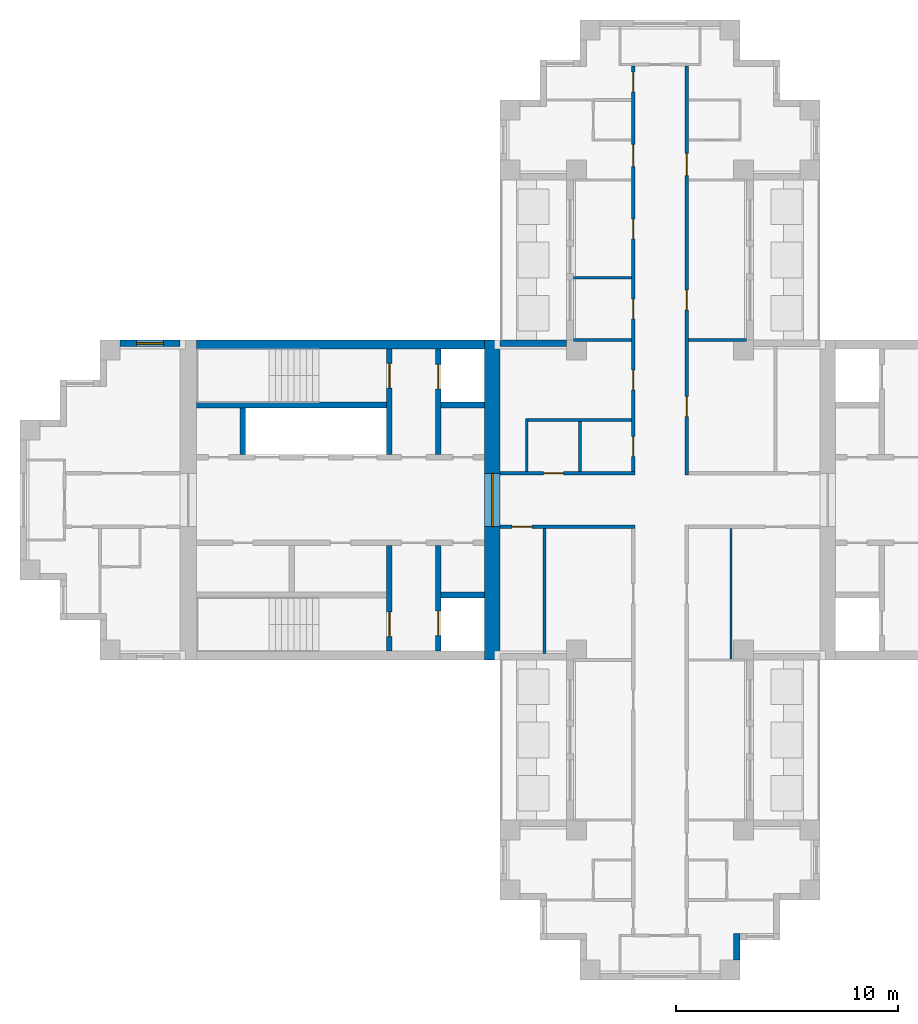
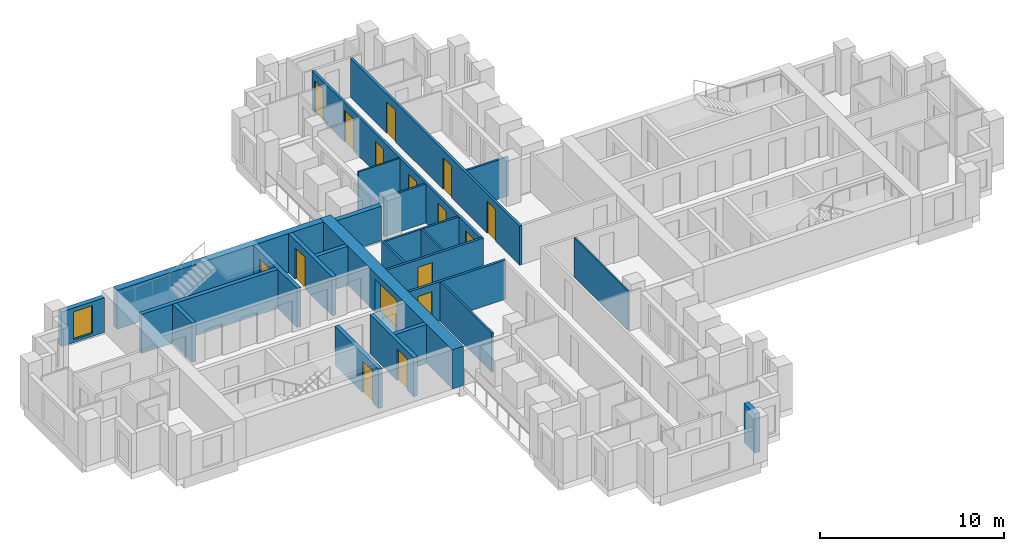
# One storey, part 4 of 10: 25 walls, 16 doors, 1 window, 17 openings.
"""IFC4 building model written with IfcOpenShell, lengths in metres."""

from ifc_helpers import new_model, si_unit, direction, frame, frame_2d, origin, place, context, subcontext, project, spatial, rectangle, extrude, material, layer, layer_set, type_object, element, fill, save


model = new_model("IFC4")

# Units and contexts
model_context = context("Model", 3, precision=1e-05, world=origin(), true_north=direction((0.0, 1.0)))
body_context = subcontext(model_context, "Body", "Model", "MODEL_VIEW")
ifc_project = project(units=[si_unit("LENGTHUNIT", "METRE"), si_unit("AREAUNIT", "SQUARE_METRE"), si_unit("VOLUMEUNIT", "CUBIC_METRE"), si_unit("PLANEANGLEUNIT", "RADIAN"), si_unit("MASSUNIT", "GRAM", prefix="KILO")], contexts=[model_context])

# Site, building, storey
site_placement = place(None, origin())
site = spatial("IfcSite", under=ifc_project, at=site_placement, CompositionType="ELEMENT")
building_placement = place(site_placement, origin())
building = spatial("IfcBuilding", under=site, at=building_placement, Name="Fustian Cross Tower", CompositionType="ELEMENT")
storey_placement = place(building_placement, frame((0.0, 0.0, 228.89990234375)))
storey = spatial("IfcBuildingStorey", under=building, at=storey_placement, Name="L72", CompositionType="ELEMENT", Elevation=228.89990234375)

# Wall, opening, door
ifc_material_1 = material(Name="Plasterboard on steel stud", Category="steel")
ifc_layer_1 = layer(ifc_material_1, 0.14990234375)
ifc_layer_set_1 = layer_set([ifc_layer_1], Name="Plasterboard on steel stud")
wall_type_1 = type_object("IfcWallType", Name="COMPARTMENT WALL 150 EI 60", PredefinedType="PARTITIONING", material=ifc_layer_set_1)
wall_1_placement = place(storey_placement, frame((-7.199951171875, -1.199951171875, 0.0), z_axis=(0.0, 0.0, 1.0), x_axis=(1.0, 0.0, 0.0)))
wall_1 = element("IfcWall", 1, at=wall_1_placement, inside=storey, type_object=wall_type_1, Name="Partition 12", PredefinedType="PARTITIONING", context=body_context, shape_type="SweptSolid", body=[
    extrude(rectangle(XDim=6.074951171875, YDim=0.14990234375, at=frame_2d((3.03759765625, 0.0))), origin(), (0.0, 0.0, 1.0), 2.60009765625),
])
opening_1_placement = place(wall_1_placement, frame((0.550048828125, 0.0, 0.0)))
opening_1 = element("IfcOpeningElement", 2, at=opening_1_placement, cuts=wall_1, Name="Opening D32009", PredefinedType="OPENING", context=body_context, shape_type="SweptSolid", body=[
    extrude(rectangle(XDim=0.89990234375, YDim=2.10009765625, at=frame_2d((0.449951171875, 1.050048828125))), frame((0.0, 0.0849609375, 0.0), z_axis=(0.0, -1.0, 0.0), x_axis=(1.0, 0.0, 0.0)), (0.0, 0.0, 1.0), 0.169921875),
])
ifc_material_2 = material(Name="Timber fire door set", Category="wood")
door_type_1 = type_object("IfcDoorType", Name="FIRE SWING DOOR 900 FD30S", OperationType="SINGLE_SWING_LEFT", PredefinedType="DOOR", material=ifc_material_2)
door_1_placement = place(opening_1_placement, frame((0.89990234375, 0.0, 0.0), z_axis=(0.0, 0.0, 1.0), x_axis=(-1.0, 0.0, 0.0)))
door_1 = element("IfcDoor", 3, at=door_1_placement, inside=storey, type_object=door_type_1, Name="Door D32009", OperationType="SINGLE_SWING_RIGHT", OverallHeight=2.10009765625, OverallWidth=0.89990234375, PredefinedType="DOOR", context=body_context, shape_type="SweptSolid", body=[
    extrude(rectangle(XDim=0.89990234375, YDim=2.10009765625, at=frame_2d((0.449951171875, 1.050048828125))), frame((0.0, 0.02490234375, 0.0), z_axis=(0.0, -1.0, 0.0), x_axis=(1.0, 0.0, 0.0)), (0.0, 0.0, 1.0), 0.050048828125),
])
fill(opening_1, door_1)

wall_2_placement = place(storey_placement, frame((-7.199951171875, 1.199951171875, 0.0), z_axis=(0.0, 0.0, 1.0), x_axis=(1.0, 0.0, 0.0)))
wall_2 = element("IfcWall", 4, at=wall_2_placement, inside=storey, type_object=wall_type_1, Name="Partition 13", PredefinedType="PARTITIONING", context=body_context, shape_type="SweptSolid", body=[
    extrude(rectangle(XDim=6.074951171875, YDim=0.14990234375, at=frame_2d((3.03759765625, 0.0))), origin(), (0.0, 0.0, 1.0), 2.60009765625),
])
opening_2_placement = place(wall_2_placement, frame((1.949951171875, 0.0, 0.0)))
opening_2 = element("IfcOpeningElement", 5, at=opening_2_placement, cuts=wall_2, Name="Opening D32004", PredefinedType="OPENING", context=body_context, shape_type="SweptSolid", body=[
    extrude(rectangle(XDim=0.89990234375, YDim=2.10009765625, at=frame_2d((0.449951171875, 1.050048828125))), frame((0.0, 0.0849609375, 0.0), z_axis=(0.0, -1.0, 0.0), x_axis=(1.0, 0.0, 0.0)), (0.0, 0.0, 1.0), 0.169921875),
])
door_2_placement = place(opening_2_placement, origin())
door_2 = element("IfcDoor", 6, at=door_2_placement, inside=storey, type_object=door_type_1, Name="Door D32004", OperationType="SINGLE_SWING_LEFT", OverallHeight=2.10009765625, OverallWidth=0.89990234375, PredefinedType="DOOR", context=body_context, shape_type="SweptSolid", body=[
    extrude(rectangle(XDim=0.89990234375, YDim=2.10009765625, at=frame_2d((0.449951171875, 1.050048828125))), frame((0.0, 0.02490234375, 0.0), z_axis=(0.0, -1.0, 0.0), x_axis=(1.0, 0.0, 0.0)), (0.0, 0.0, 1.0), 0.050048828125),
])
fill(opening_2, door_2)

# Wall, openings, doors
wall_3_placement = place(storey_placement, frame((-1.199951171875, 1.27490234375, 0.0), z_axis=(0.0, 0.0, 1.0), x_axis=(0.0, 1.0, 0.0)))
wall_3 = element("IfcWall", 7, at=wall_3_placement, inside=storey, type_object=wall_type_1, Name="Partition 37", PredefinedType="PARTITIONING", context=body_context, shape_type="SweptSolid", body=[
    extrude(rectangle(XDim=18.25, YDim=0.14990234375, at=frame_2d((9.125, 0.0))), origin(), (0.0, 0.0, 1.0), 2.60009765625),
])
opening_3_placement = place(wall_3_placement, frame((0.675048828125, 0.0, 0.0)))
opening_3 = element("IfcOpeningElement", 8, at=opening_3_placement, cuts=wall_3, Name="Opening D32003", PredefinedType="OPENING", context=body_context, shape_type="SweptSolid", body=[
    extrude(rectangle(XDim=0.89990234375, YDim=2.10009765625, at=frame_2d((0.449951171875, 1.050048828125))), frame((0.0, 0.0849609375, 0.0), z_axis=(0.0, -1.0, 0.0), x_axis=(1.0, 0.0, 0.0)), (0.0, 0.0, 1.0), 0.169921875),
])
opening_4_placement = place(wall_3_placement, frame((3.675048828125, 0.0, 0.0)))
opening_4 = element("IfcOpeningElement", 9, at=opening_4_placement, cuts=wall_3, Name="Opening D32005", PredefinedType="OPENING", context=body_context, shape_type="SweptSolid", body=[
    extrude(rectangle(XDim=0.89990234375, YDim=2.10009765625, at=frame_2d((0.449951171875, 1.050048828125))), frame((0.0, 0.0849609375, 0.0), z_axis=(0.0, -1.0, 0.0), x_axis=(1.0, 0.0, 0.0)), (0.0, 0.0, 1.0), 0.169921875),
])
opening_5_placement = place(wall_3_placement, frame((6.875, 0.0, 0.0)))
opening_5 = element("IfcOpeningElement", 10, at=opening_5_placement, cuts=wall_3, Name="Opening D32016", PredefinedType="OPENING", context=body_context, shape_type="SweptSolid", body=[
    extrude(rectangle(XDim=0.89990234375, YDim=2.10009765625, at=frame_2d((0.449951171875, 1.050048828125))), frame((0.0, 0.0849609375, 0.0), z_axis=(0.0, -1.0, 0.0), x_axis=(1.0, 0.0, 0.0)), (0.0, 0.0, 1.0), 0.169921875),
])
opening_6_placement = place(wall_3_placement, frame((10.47509765625, 0.0, 0.0)))
opening_6 = element("IfcOpeningElement", 11, at=opening_6_placement, cuts=wall_3, Name="Opening D32017", PredefinedType="OPENING", context=body_context, shape_type="SweptSolid", body=[
    extrude(rectangle(XDim=0.89990234375, YDim=2.10009765625, at=frame_2d((0.449951171875, 1.050048828125))), frame((0.0, 0.0849609375, 0.0), z_axis=(0.0, -1.0, 0.0), x_axis=(1.0, 0.0, 0.0)), (0.0, 0.0, 1.0), 0.169921875),
])
opening_7_placement = place(wall_3_placement, frame((13.72509765625, 0.0, 0.0)))
opening_7 = element("IfcOpeningElement", 12, at=opening_7_placement, cuts=wall_3, Name="Opening D32019", PredefinedType="OPENING", context=body_context, shape_type="SweptSolid", body=[
    extrude(rectangle(XDim=1.0, YDim=2.10009765625, at=frame_2d((0.5, 1.050048828125))), frame((0.0, 0.0849609375, 0.0), z_axis=(0.0, -1.0, 0.0), x_axis=(1.0, 0.0, 0.0)), (0.0, 0.0, 1.0), 0.169921875),
])
opening_8_placement = place(wall_3_placement, frame((17.074951171875, 0.0, 0.0)))
opening_8 = element("IfcOpeningElement", 13, at=opening_8_placement, cuts=wall_3, Name="Opening D32020", PredefinedType="OPENING", context=body_context, shape_type="SweptSolid", body=[
    extrude(rectangle(XDim=0.89990234375, YDim=2.10009765625, at=frame_2d((0.449951171875, 1.050048828125))), frame((0.0, 0.0849609375, 0.0), z_axis=(0.0, -1.0, 0.0), x_axis=(1.0, 0.0, 0.0)), (0.0, 0.0, 1.0), 0.169921875),
])
ifc_material_3 = material(Name="Timber fire door set", Category="wood")
door_type_2 = type_object("IfcDoorType", Name="FIRE SWING DOOR 1000 FD30S", OperationType="SINGLE_SWING_LEFT", PredefinedType="DOOR", material=ifc_material_3)
door_3_placement = place(opening_7_placement, origin())
door_3 = element("IfcDoor", 14, at=door_3_placement, inside=storey, type_object=door_type_2, Name="Door D32019", OperationType="SINGLE_SWING_RIGHT", OverallHeight=2.10009765625, OverallWidth=1.0, PredefinedType="DOOR", context=body_context, shape_type="SweptSolid", body=[
    extrude(rectangle(XDim=1.0, YDim=2.10009765625, at=frame_2d((0.5, 1.050048828125))), frame((0.0, 0.02490234375, 0.0), z_axis=(0.0, -1.0, 0.0), x_axis=(1.0, 0.0, 0.0)), (0.0, 0.0, 1.0), 0.050048828125),
])
fill(opening_7, door_3)
door_4_placement = place(opening_3_placement, origin())
door_4 = element("IfcDoor", 15, at=door_4_placement, inside=storey, type_object=door_type_1, Name="Door D32003", OperationType="SINGLE_SWING_LEFT", OverallHeight=2.10009765625, OverallWidth=0.89990234375, PredefinedType="DOOR", context=body_context, shape_type="SweptSolid", body=[
    extrude(rectangle(XDim=0.89990234375, YDim=2.10009765625, at=frame_2d((0.449951171875, 1.050048828125))), frame((0.0, 0.02490234375, 0.0), z_axis=(0.0, -1.0, 0.0), x_axis=(1.0, 0.0, 0.0)), (0.0, 0.0, 1.0), 0.050048828125),
])
fill(opening_3, door_4)
door_5_placement = place(opening_4_placement, origin())
door_5 = element("IfcDoor", 16, at=door_5_placement, inside=storey, type_object=door_type_1, Name="Door D32005", OperationType="SINGLE_SWING_LEFT", OverallHeight=2.10009765625, OverallWidth=0.89990234375, PredefinedType="DOOR", context=body_context, shape_type="SweptSolid", body=[
    extrude(rectangle(XDim=0.89990234375, YDim=2.10009765625, at=frame_2d((0.449951171875, 1.050048828125))), frame((0.0, 0.02490234375, 0.0), z_axis=(0.0, -1.0, 0.0), x_axis=(1.0, 0.0, 0.0)), (0.0, 0.0, 1.0), 0.050048828125),
])
fill(opening_4, door_5)
door_6_placement = place(opening_5_placement, origin())
door_6 = element("IfcDoor", 17, at=door_6_placement, inside=storey, type_object=door_type_1, Name="Door D32016", OperationType="SINGLE_SWING_LEFT", OverallHeight=2.10009765625, OverallWidth=0.89990234375, PredefinedType="DOOR", context=body_context, shape_type="SweptSolid", body=[
    extrude(rectangle(XDim=0.89990234375, YDim=2.10009765625, at=frame_2d((0.449951171875, 1.050048828125))), frame((0.0, 0.02490234375, 0.0), z_axis=(0.0, -1.0, 0.0), x_axis=(1.0, 0.0, 0.0)), (0.0, 0.0, 1.0), 0.050048828125),
])
fill(opening_5, door_6)
door_7_placement = place(opening_6_placement, origin())
door_7 = element("IfcDoor", 18, at=door_7_placement, inside=storey, type_object=door_type_1, Name="Door D32017", OperationType="SINGLE_SWING_LEFT", OverallHeight=2.10009765625, OverallWidth=0.89990234375, PredefinedType="DOOR", context=body_context, shape_type="SweptSolid", body=[
    extrude(rectangle(XDim=0.89990234375, YDim=2.10009765625, at=frame_2d((0.449951171875, 1.050048828125))), frame((0.0, 0.02490234375, 0.0), z_axis=(0.0, -1.0, 0.0), x_axis=(1.0, 0.0, 0.0)), (0.0, 0.0, 1.0), 0.050048828125),
])
fill(opening_6, door_7)
door_8_placement = place(opening_8_placement, origin())
door_8 = element("IfcDoor", 19, at=door_8_placement, inside=storey, type_object=door_type_1, Name="Door D32020", OperationType="SINGLE_SWING_LEFT", OverallHeight=2.10009765625, OverallWidth=0.89990234375, PredefinedType="DOOR", context=body_context, shape_type="SweptSolid", body=[
    extrude(rectangle(XDim=0.89990234375, YDim=2.10009765625, at=frame_2d((0.449951171875, 1.050048828125))), frame((0.0, 0.02490234375, 0.0), z_axis=(0.0, -1.0, 0.0), x_axis=(1.0, 0.0, 0.0)), (0.0, 0.0, 1.0), 0.050048828125),
])
fill(opening_8, door_8)

wall_4_placement = place(storey_placement, frame((1.199951171875, 1.125, 0.0), z_axis=(0.0, 0.0, 1.0), x_axis=(0.0, 1.0, 0.0)))
wall_4 = element("IfcWall", 20, at=wall_4_placement, inside=storey, type_object=wall_type_1, Name="Partition 46", PredefinedType="PARTITIONING", context=body_context, shape_type="SweptSolid", body=[
    extrude(rectangle(XDim=18.39990234375, YDim=0.14990234375, at=frame_2d((9.199951171875, 0.0))), origin(), (0.0, 0.0, 1.0), 2.60009765625),
])
opening_9_placement = place(wall_4_placement, frame((2.625, 0.0, 0.0)))
opening_9 = element("IfcOpeningElement", 21, at=opening_9_placement, cuts=wall_4, Name="Opening D32001", PredefinedType="OPENING", context=body_context, shape_type="SweptSolid", body=[
    extrude(rectangle(XDim=0.89990234375, YDim=2.10009765625, at=frame_2d((0.449951171875, 1.050048828125))), frame((0.0, 0.0849609375, 0.0), z_axis=(0.0, -1.0, 0.0), x_axis=(1.0, 0.0, 0.0)), (0.0, 0.0, 1.0), 0.169921875),
])
opening_10_placement = place(wall_4_placement, frame((7.425048828125, 0.0, 0.0)))
opening_10 = element("IfcOpeningElement", 22, at=opening_10_placement, cuts=wall_4, Name="Opening D32021", PredefinedType="OPENING", context=body_context, shape_type="SweptSolid", body=[
    extrude(rectangle(XDim=0.89990234375, YDim=2.10009765625, at=frame_2d((0.449951171875, 1.050048828125))), frame((0.0, 0.0849609375, 0.0), z_axis=(0.0, -1.0, 0.0), x_axis=(1.0, 0.0, 0.0)), (0.0, 0.0, 1.0), 0.169921875),
])
opening_11_placement = place(wall_4_placement, frame((13.47509765625, 0.0, 0.0)))
opening_11 = element("IfcOpeningElement", 23, at=opening_11_placement, cuts=wall_4, Name="Opening D32023", PredefinedType="OPENING", context=body_context, shape_type="SweptSolid", body=[
    extrude(rectangle(XDim=1.0, YDim=2.10009765625, at=frame_2d((0.5, 1.050048828125))), frame((0.0, 0.0849609375, 0.0), z_axis=(0.0, -1.0, 0.0), x_axis=(1.0, 0.0, 0.0)), (0.0, 0.0, 1.0), 0.169921875),
])
door_9_placement = place(opening_11_placement, frame((1.0, 0.0, 0.0), z_axis=(0.0, 0.0, 1.0), x_axis=(-1.0, 0.0, 0.0)))
door_9 = element("IfcDoor", 24, at=door_9_placement, inside=storey, type_object=door_type_2, Name="Door D32023", OperationType="SINGLE_SWING_RIGHT", OverallHeight=2.10009765625, OverallWidth=1.0, PredefinedType="DOOR", context=body_context, shape_type="SweptSolid", body=[
    extrude(rectangle(XDim=1.0, YDim=2.10009765625, at=frame_2d((0.5, 1.050048828125))), frame((0.0, 0.02490234375, 0.0), z_axis=(0.0, -1.0, 0.0), x_axis=(1.0, 0.0, 0.0)), (0.0, 0.0, 1.0), 0.050048828125),
])
fill(opening_11, door_9)
door_10_placement = place(opening_9_placement, frame((0.89990234375, 0.0, 0.0), z_axis=(0.0, 0.0, 1.0), x_axis=(-1.0, 0.0, 0.0)))
door_10 = element("IfcDoor", 25, at=door_10_placement, inside=storey, type_object=door_type_1, Name="Door D32001", OperationType="SINGLE_SWING_RIGHT", OverallHeight=2.10009765625, OverallWidth=0.89990234375, PredefinedType="DOOR", context=body_context, shape_type="SweptSolid", body=[
    extrude(rectangle(XDim=0.89990234375, YDim=2.10009765625, at=frame_2d((0.449951171875, 1.050048828125))), frame((0.0, 0.02490234375, 0.0), z_axis=(0.0, -1.0, 0.0), x_axis=(1.0, 0.0, 0.0)), (0.0, 0.0, 1.0), 0.050048828125),
])
fill(opening_9, door_10)
door_11_placement = place(opening_10_placement, frame((0.89990234375, 0.0, 0.0), z_axis=(0.0, 0.0, 1.0), x_axis=(-1.0, 0.0, 0.0)))
door_11 = element("IfcDoor", 26, at=door_11_placement, inside=storey, type_object=door_type_1, Name="Door D32021", OperationType="SINGLE_SWING_RIGHT", OverallHeight=2.10009765625, OverallWidth=0.89990234375, PredefinedType="DOOR", context=body_context, shape_type="SweptSolid", body=[
    extrude(rectangle(XDim=0.89990234375, YDim=2.10009765625, at=frame_2d((0.449951171875, 1.050048828125))), frame((0.0, 0.02490234375, 0.0), z_axis=(0.0, -1.0, 0.0), x_axis=(1.0, 0.0, 0.0)), (0.0, 0.0, 1.0), 0.050048828125),
])
fill(opening_10, door_11)

# Wall, opening, door
ifc_material_4 = material(Name="Concrete C50/60", Category="concrete")
ifc_layer_2 = layer(ifc_material_4, 0.699951171875)
ifc_layer_set_2 = layer_set([ifc_layer_2], Name="Concrete C50/60")
wall_type_2 = type_object("IfcWallType", Name="CORE END WALL 700 C50/60", PredefinedType="SHEAR", material=ifc_layer_set_2)
wall_5_placement = place(storey_placement, frame((-7.550048828125, -7.199951171875, 0.0), z_axis=(0.0, 0.0, 1.0), x_axis=(0.0, 1.0, 0.0)))
wall_5 = element("IfcWall", 27, at=wall_5_placement, inside=storey, type_object=wall_type_2, Name="Core end wall", PredefinedType="SHEAR", context=body_context, shape_type="SweptSolid", body=[
    extrude(rectangle(XDim=14.39990234375, YDim=0.699951171875, at=frame_2d((7.199951171875, 0.0))), origin(), (0.0, 0.0, 1.0), 2.60009765625),
])
opening_12_placement = place(wall_5_placement, frame((6.0, 0.0, 0.0)))
opening_12 = element("IfcOpeningElement", 28, at=opening_12_placement, cuts=wall_5, Name="Opening CD-27-28", PredefinedType="OPENING", context=body_context, shape_type="SweptSolid", body=[
    extrude(rectangle(XDim=2.39990234375, YDim=2.199951171875, at=frame_2d((1.199951171875, 1.10009765625))), frame((0.0, 0.35986328125, 0.0), z_axis=(0.0, -1.0, 0.0), x_axis=(1.0, 0.0, 0.0)), (0.0, 0.0, 1.0), 0.719970703125),
])
ifc_material_5 = material(Name="Steel", Category="steel")
door_type_3 = type_object("IfcDoorType", Name="FIRE DOOR FD30S DOUBLE 2400X2200", OperationType="DOUBLE_DOOR_DOUBLE_SWING", PredefinedType="DOOR", material=ifc_material_5)
door_12_placement = place(opening_12_placement, origin())
door_12 = element("IfcDoor", 29, at=door_12_placement, inside=storey, type_object=door_type_3, Name="Core door CD-27-28", OperationType="DOUBLE_DOOR_DOUBLE_SWING", OverallHeight=2.199951171875, OverallWidth=2.39990234375, PredefinedType="DOOR", context=body_context, shape_type="SweptSolid", body=[
    extrude(rectangle(XDim=2.39990234375, YDim=2.199951171875, at=frame_2d((1.199951171875, 1.10009765625))), frame((0.0, 0.02490234375, 0.0), z_axis=(0.0, -1.0, 0.0), x_axis=(1.0, 0.0, 0.0)), (0.0, 0.0, 1.0), 0.050048828125),
])
fill(opening_12, door_12)

# Walls
ifc_material_6 = material(Name="Concrete C50/60", Category="concrete")
ifc_layer_3 = layer(ifc_material_6, 0.39990234375)
ifc_layer_set_3 = layer_set([ifc_layer_3], Name="Concrete C50/60")
wall_type_3 = type_object("IfcWallType", Name="CORE FACADE WALL 400 C50/60", PredefinedType="SHEAR", material=ifc_layer_set_3)
wall_6_placement = place(storey_placement, frame((-7.89990234375, 7.0, 0.0), z_axis=(0.0, 0.0, 1.0), x_axis=(-1.0, 0.0, 0.0)))
element("IfcWall", 30, at=wall_6_placement, inside=storey, type_object=wall_type_3, Name="Core facade wall", PredefinedType="SHEAR", context=body_context, shape_type="SweptSolid", body=[
    extrude(rectangle(XDim=12.9501953125, YDim=0.39990234375, at=frame_2d((6.47509765625, 0.0))), origin(), (0.0, 0.0, 1.0), 2.60009765625),
])
ifc_material_7 = material(Name="Concrete C50/60", Category="concrete")
ifc_layer_4 = layer(ifc_material_7, 0.25)
ifc_layer_set_4 = layer_set([ifc_layer_4], Name="Concrete C50/60")
wall_type_4 = type_object("IfcWallType", Name="CORE SHAFT WALL 250 C50/60", PredefinedType="SHEAR", material=ifc_layer_set_4)
wall_7_placement = place(storey_placement, frame((-7.89990234375, 4.27490234375, 0.0), z_axis=(0.0, 0.0, 1.0), x_axis=(-1.0, 0.0, 0.0)))
element("IfcWall", 31, at=wall_7_placement, inside=storey, type_object=wall_type_4, Name="Core shaft wall", PredefinedType="SHEAR", context=body_context, shape_type="SweptSolid", body=[
    extrude(rectangle(XDim=1.9501953125, YDim=0.25, at=frame_2d((0.97509765625, 0.0))), origin(), (0.0, 0.0, 1.0), 2.60009765625),
])
wall_8_placement = place(storey_placement, frame((-12.300048828125, 4.27490234375, 0.0), z_axis=(0.0, 0.0, 1.0), x_axis=(-1.0, 0.0, 0.0)))
element("IfcWall", 32, at=wall_8_placement, inside=storey, type_object=wall_type_4, Name="Core shaft wall", PredefinedType="SHEAR", context=body_context, shape_type="SweptSolid", body=[
    extrude(rectangle(XDim=8.550048828125, YDim=0.25, at=frame_2d((4.27490234375, 0.0))), origin(), (0.0, 0.0, 1.0), 2.60009765625),
])

# Wall, opening, door
wall_9_placement = place(storey_placement, frame((-9.97509765625, 2.050048828125, 0.0), z_axis=(0.0, 0.0, 1.0), x_axis=(0.0, 1.0, 0.0)))
wall_9 = element("IfcWall", 33, at=wall_9_placement, inside=storey, type_object=wall_type_4, Name="Core shaft wall", PredefinedType="SHEAR", context=body_context, shape_type="SweptSolid", body=[
    extrude(rectangle(XDim=4.75, YDim=0.25, at=frame_2d((2.375, 0.0))), origin(), (0.0, 0.0, 1.0), 2.60009765625),
])
opening_13_placement = place(wall_9_placement, frame((2.949951171875, 0.0, 0.0)))
opening_13 = element("IfcOpeningElement", 34, at=opening_13_placement, cuts=wall_9, Name="Opening LD", PredefinedType="OPENING", context=body_context, shape_type="SweptSolid", body=[
    extrude(rectangle(XDim=1.10009765625, YDim=2.10009765625, at=frame_2d((0.550048828125, 1.050048828125))), frame((0.0, 0.135009765625, 0.0), z_axis=(0.0, -1.0, 0.0), x_axis=(1.0, 0.0, 0.0)), (0.0, 0.0, 1.0), 0.27001953125),
])
ifc_material_8 = material(Name="Stainless steel", Category="steel")
door_type_4 = type_object("IfcDoorType", Name="LIFT LANDING DOOR 1100X2100", OperationType="SLIDING_TO_LEFT", PredefinedType="DOOR", material=ifc_material_8)
door_13_placement = place(opening_13_placement, origin())
door_13 = element("IfcDoor", 35, at=door_13_placement, inside=storey, type_object=door_type_4, Name="Landing door FL1W", OperationType="SLIDING_TO_LEFT", OverallHeight=2.10009765625, OverallWidth=1.10009765625, PredefinedType="DOOR", context=body_context, shape_type="SweptSolid", body=[
    extrude(rectangle(XDim=1.10009765625, YDim=2.10009765625, at=frame_2d((0.550048828125, 1.050048828125))), frame((0.0, 0.02490234375, 0.0), z_axis=(0.0, -1.0, 0.0), x_axis=(1.0, 0.0, 0.0)), (0.0, 0.0, 1.0), 0.050048828125),
])
fill(opening_13, door_13)

wall_10_placement = place(storey_placement, frame((-12.175048828125, 2.050048828125, 0.0), z_axis=(0.0, 0.0, 1.0), x_axis=(0.0, 1.0, 0.0)))
wall_10 = element("IfcWall", 36, at=wall_10_placement, inside=storey, type_object=wall_type_4, Name="Core shaft wall", PredefinedType="SHEAR", context=body_context, shape_type="SweptSolid", body=[
    extrude(rectangle(XDim=4.75, YDim=0.25, at=frame_2d((2.375, 0.0))), origin(), (0.0, 0.0, 1.0), 2.60009765625),
])
opening_14_placement = place(wall_10_placement, frame((3.0, 0.0, 0.0)))
opening_14 = element("IfcOpeningElement", 37, at=opening_14_placement, cuts=wall_10, Name="Opening CD-27-22", PredefinedType="OPENING", context=body_context, shape_type="SweptSolid", body=[
    extrude(rectangle(XDim=1.10009765625, YDim=2.10009765625, at=frame_2d((0.550048828125, 1.050048828125))), frame((0.0, 0.135009765625, 0.0), z_axis=(0.0, -1.0, 0.0), x_axis=(1.0, 0.0, 0.0)), (0.0, 0.0, 1.0), 0.27001953125),
])
ifc_material_9 = material(Name="Steel", Category="steel")
door_type_5 = type_object("IfcDoorType", Name="FIRE DOOR FD60S 1100X2100", OperationType="SINGLE_SWING_LEFT", PredefinedType="DOOR", material=ifc_material_9)
door_14_placement = place(opening_14_placement, origin())
door_14 = element("IfcDoor", 38, at=door_14_placement, inside=storey, type_object=door_type_5, Name="Core door CD-27-22", OperationType="SINGLE_SWING_LEFT", OverallHeight=2.10009765625, OverallWidth=1.10009765625, PredefinedType="DOOR", context=body_context, shape_type="SweptSolid", body=[
    extrude(rectangle(XDim=1.10009765625, YDim=2.10009765625, at=frame_2d((0.550048828125, 1.050048828125))), frame((0.0, 0.02490234375, 0.0), z_axis=(0.0, -1.0, 0.0), x_axis=(1.0, 0.0, 0.0)), (0.0, 0.0, 1.0), 0.050048828125),
])
fill(opening_14, door_14)

# Wall
wall_11_placement = place(storey_placement, frame((-7.89990234375, -4.27490234375, 0.0), z_axis=(0.0, 0.0, 1.0), x_axis=(-1.0, 0.0, 0.0)))
element("IfcWall", 39, at=wall_11_placement, inside=storey, type_object=wall_type_4, Name="Core shaft wall", PredefinedType="SHEAR", context=body_context, shape_type="SweptSolid", body=[
    extrude(rectangle(XDim=1.9501953125, YDim=0.25, at=frame_2d((0.97509765625, 0.0))), origin(), (0.0, 0.0, 1.0), 2.60009765625),
])

# Wall, opening, door
wall_12_placement = place(storey_placement, frame((-9.97509765625, -2.050048828125, 0.0), z_axis=(0.0, 0.0, 1.0), x_axis=(0.0, -1.0, 0.0)))
wall_12 = element("IfcWall", 40, at=wall_12_placement, inside=storey, type_object=wall_type_4, Name="Core shaft wall", PredefinedType="SHEAR", context=body_context, shape_type="SweptSolid", body=[
    extrude(rectangle(XDim=4.75, YDim=0.25, at=frame_2d((2.375, 0.0))), origin(), (0.0, 0.0, 1.0), 2.60009765625),
])
opening_15_placement = place(wall_12_placement, frame((2.949951171875, 0.0, 0.0)))
opening_15 = element("IfcOpeningElement", 41, at=opening_15_placement, cuts=wall_12, Name="Opening LD", PredefinedType="OPENING", context=body_context, shape_type="SweptSolid", body=[
    extrude(rectangle(XDim=1.10009765625, YDim=2.10009765625, at=frame_2d((0.550048828125, 1.050048828125))), frame((0.0, 0.135009765625, 0.0), z_axis=(0.0, -1.0, 0.0), x_axis=(1.0, 0.0, 0.0)), (0.0, 0.0, 1.0), 0.27001953125),
])
door_15_placement = place(opening_15_placement, origin())
door_15 = element("IfcDoor", 42, at=door_15_placement, inside=storey, type_object=door_type_4, Name="Landing door SV1W", OperationType="SLIDING_TO_LEFT", OverallHeight=2.10009765625, OverallWidth=1.10009765625, PredefinedType="DOOR", context=body_context, shape_type="SweptSolid", body=[
    extrude(rectangle(XDim=1.10009765625, YDim=2.10009765625, at=frame_2d((0.550048828125, 1.050048828125))), frame((0.0, 0.02490234375, 0.0), z_axis=(0.0, -1.0, 0.0), x_axis=(1.0, 0.0, 0.0)), (0.0, 0.0, 1.0), 0.050048828125),
])
fill(opening_15, door_15)

wall_13_placement = place(storey_placement, frame((-12.175048828125, -2.050048828125, 0.0), z_axis=(0.0, 0.0, 1.0), x_axis=(0.0, -1.0, 0.0)))
wall_13 = element("IfcWall", 43, at=wall_13_placement, inside=storey, type_object=wall_type_4, Name="Core shaft wall", PredefinedType="SHEAR", context=body_context, shape_type="SweptSolid", body=[
    extrude(rectangle(XDim=4.75, YDim=0.25, at=frame_2d((2.375, 0.0))), origin(), (0.0, 0.0, 1.0), 2.60009765625),
])
opening_16_placement = place(wall_13_placement, frame((3.0, 0.0, 0.0)))
opening_16 = element("IfcOpeningElement", 44, at=opening_16_placement, cuts=wall_13, Name="Opening CD-27-23", PredefinedType="OPENING", context=body_context, shape_type="SweptSolid", body=[
    extrude(rectangle(XDim=1.10009765625, YDim=2.10009765625, at=frame_2d((0.550048828125, 1.050048828125))), frame((0.0, 0.135009765625, 0.0), z_axis=(0.0, -1.0, 0.0), x_axis=(1.0, 0.0, 0.0)), (0.0, 0.0, 1.0), 0.27001953125),
])
door_16_placement = place(opening_16_placement, frame((1.10009765625, 0.0, 0.0), z_axis=(0.0, 0.0, 1.0), x_axis=(-1.0, 0.0, 0.0)))
door_16 = element("IfcDoor", 45, at=door_16_placement, inside=storey, type_object=door_type_5, Name="Core door CD-27-23", OperationType="SINGLE_SWING_RIGHT", OverallHeight=2.10009765625, OverallWidth=1.10009765625, PredefinedType="DOOR", context=body_context, shape_type="SweptSolid", body=[
    extrude(rectangle(XDim=1.10009765625, YDim=2.10009765625, at=frame_2d((0.550048828125, 1.050048828125))), frame((0.0, 0.02490234375, 0.0), z_axis=(0.0, -1.0, 0.0), x_axis=(1.0, 0.0, 0.0)), (0.0, 0.0, 1.0), 0.050048828125),
])
fill(opening_16, door_16)

# Walls
ifc_material_10 = material(Name="Plasterboard on steel stud", Category="steel")
ifc_layer_5 = layer(ifc_material_10, 0.10009765625)
ifc_layer_set_5 = layer_set([ifc_layer_5], Name="Plasterboard on steel stud")
wall_type_5 = type_object("IfcWallType", Name="PARTITION 100 STUD", PredefinedType="PARTITIONING", material=ifc_layer_set_5)
wall_14_placement = place(storey_placement, frame((-3.89990234375, 10.0, 0.0), z_axis=(0.0, 0.0, 1.0), x_axis=(1.0, 0.0, 0.0)))
element("IfcWall", 46, at=wall_14_placement, inside=storey, type_object=wall_type_5, Name="Partition 22", PredefinedType="PARTITIONING", context=body_context, shape_type="SweptSolid", body=[
    extrude(rectangle(XDim=2.625, YDim=0.10009765625, at=frame_2d((1.3125, 0.0))), origin(), (0.0, 0.0, 1.0), 2.60009765625),
])
wall_15_placement = place(storey_placement, frame((3.199951171875, -7.14990234375, 0.0), z_axis=(0.0, 0.0, 1.0), x_axis=(0.0, 1.0, 0.0)))
element("IfcWall", 47, at=wall_15_placement, inside=storey, type_object=wall_type_5, Name="Partition 57", PredefinedType="PARTITIONING", context=body_context, shape_type="SweptSolid", body=[
    extrude(rectangle(XDim=5.875, YDim=0.10009765625, at=frame_2d((2.9375, 0.0))), origin(), (0.0, 0.0, 1.0), 2.60009765625),
])
ifc_material_11 = material(Name="Concrete C40/50", Category="concrete")
ifc_layer_6 = layer(ifc_material_11, 0.25)
ifc_layer_set_6 = layer_set([ifc_layer_6], Name="Concrete C40/50")
wall_type_6 = type_object("IfcWallType", Name="SHAFT PARTITION WALL 250 C40/50", PredefinedType="PARTITIONING", material=ifc_layer_set_6)
wall_16_placement = place(storey_placement, frame((-18.77490234375, 2.050048828125, 0.0), z_axis=(0.0, 0.0, 1.0), x_axis=(0.0, 1.0, 0.0)))
element("IfcWall", 48, at=wall_16_placement, inside=storey, type_object=wall_type_6, Name="Core shaft wall", PredefinedType="PARTITIONING", context=body_context, shape_type="SweptSolid", body=[
    extrude(rectangle(XDim=2.099853515625, YDim=0.25, at=frame_2d((1.0498046875, 0.0))), origin(), (0.0, 0.0, 1.0), 2.60009765625),
])
ifc_material_12 = material(Name="Plasterboard on steel stud", Category="steel")
ifc_layer_7 = layer(ifc_material_12, 0.125)
ifc_layer_set_7 = layer_set([ifc_layer_7], Name="Plasterboard on steel stud")
wall_type_7 = type_object("IfcWallType", Name="WET WALL 125 STUD", PredefinedType="PARTITIONING", material=ifc_layer_set_7)
wall_17_placement = place(storey_placement, frame((-6.0, 1.27490234375, 0.0), z_axis=(0.0, 0.0, 1.0), x_axis=(0.0, 1.0, 0.0)))
element("IfcWall", 49, at=wall_17_placement, inside=storey, type_object=wall_type_7, Name="Partition 14", PredefinedType="PARTITIONING", context=body_context, shape_type="SweptSolid", body=[
    extrude(rectangle(XDim=2.3876953125, YDim=0.125, at=frame_2d((1.19384765625, 0.0))), origin(), (0.0, 0.0, 1.0), 2.60009765625),
])
wall_18_placement = place(storey_placement, frame((-5.9375, 3.60009765625, 0.0), z_axis=(0.0, 0.0, 1.0), x_axis=(1.0, 0.0, 0.0)))
element("IfcWall", 50, at=wall_18_placement, inside=storey, type_object=wall_type_7, Name="Partition 15", PredefinedType="PARTITIONING", context=body_context, shape_type="SweptSolid", body=[
    extrude(rectangle(XDim=4.66259765625, YDim=0.125, at=frame_2d((2.331298828125, 0.0))), origin(), (0.0, 0.0, 1.0), 2.60009765625),
])
wall_19_placement = place(storey_placement, frame((-5.199951171875, -6.89990234375, 0.0), z_axis=(0.0, 0.0, 1.0), x_axis=(0.0, 1.0, 0.0)))
element("IfcWall", 51, at=wall_19_placement, inside=storey, type_object=wall_type_7, Name="Partition 16", PredefinedType="PARTITIONING", context=body_context, shape_type="SweptSolid", body=[
    extrude(rectangle(XDim=5.625, YDim=0.125, at=frame_2d((2.8125, 0.0))), origin(), (0.0, 0.0, 1.0), 2.60009765625),
])
wall_20_placement = place(storey_placement, frame((-3.89990234375, 7.199951171875, 0.0), z_axis=(0.0, 0.0, 1.0), x_axis=(1.0, 0.0, 0.0)))
element("IfcWall", 52, at=wall_20_placement, inside=storey, type_object=wall_type_7, Name="Partition 21", PredefinedType="PARTITIONING", context=body_context, shape_type="SweptSolid", body=[
    extrude(rectangle(XDim=2.625, YDim=0.125, at=frame_2d((1.3125, 0.0))), origin(), (0.0, 0.0, 1.0), 2.60009765625),
])
wall_21_placement = place(storey_placement, frame((-3.60009765625, 1.27490234375, 0.0), z_axis=(0.0, 0.0, 1.0), x_axis=(0.0, 1.0, 0.0)))
element("IfcWall", 53, at=wall_21_placement, inside=storey, type_object=wall_type_7, Name="Partition 24", PredefinedType="PARTITIONING", context=body_context, shape_type="SweptSolid", body=[
    extrude(rectangle(XDim=2.2626953125, YDim=0.125, at=frame_2d((1.13134765625, 0.0))), origin(), (0.0, 0.0, 1.0), 2.60009765625),
])
wall_22_placement = place(storey_placement, frame((1.27490234375, 7.199951171875, 0.0), z_axis=(0.0, 0.0, 1.0), x_axis=(1.0, 0.0, 0.0)))
element("IfcWall", 54, at=wall_22_placement, inside=storey, type_object=wall_type_7, Name="Partition 48", PredefinedType="PARTITIONING", context=body_context, shape_type="SweptSolid", body=[
    extrude(rectangle(XDim=2.625, YDim=0.125, at=frame_2d((1.3125, 0.0))), origin(), (0.0, 0.0, 1.0), 2.60009765625),
])
ifc_material_13 = material(Name="Dark aluminium cladding on insulated backing wall", Category="aluminium")
ifc_layer_8 = layer(ifc_material_13, 0.300048828125)
ifc_layer_set_8 = layer_set([ifc_layer_8], Name="Dark aluminium cladding on insulated backing wall")
wall_type_8 = type_object("IfcWallType", Name="XW1 EXTERNAL WALL 300", PredefinedType="SOLIDWALL", material=ifc_layer_set_8)
wall_23_placement = place(storey_placement, frame((-4.199951171875, 7.050048828125, 0.0), z_axis=(0.0, 0.0, 1.0), x_axis=(-1.0, 0.0, 0.0)))
element("IfcWall", 55, at=wall_23_placement, inside=storey, type_object=wall_type_8, Name="External wall", PredefinedType="SOLIDWALL", context=body_context, shape_type="SweptSolid", body=[
    extrude(rectangle(XDim=3.0, YDim=0.300048828125, at=frame_2d((1.5, 0.0))), origin(), (0.0, 0.0, 1.0), 2.300048828125),
])

# Wall, opening, window
wall_24_placement = place(storey_placement, frame((-21.60009765625, 7.050048828125, 0.0), z_axis=(0.0, 0.0, 1.0), x_axis=(-1.0, 0.0, 0.0)))
wall_24 = element("IfcWall", 56, at=wall_24_placement, inside=storey, type_object=wall_type_8, Name="External wall", PredefinedType="SOLIDWALL", context=body_context, shape_type="SweptSolid", body=[
    extrude(rectangle(XDim=2.699951171875, YDim=0.300048828125, at=frame_2d((1.35009765625, 0.0))), origin(), (0.0, 0.0, 1.0), 2.300048828125),
])
opening_17_placement = place(wall_24_placement, frame((0.75, 0.0, 0.199951171875)))
opening_17 = element("IfcOpeningElement", 57, at=opening_17_placement, cuts=wall_24, Name="Opening WN3", PredefinedType="OPENING", context=body_context, shape_type="SweptSolid", body=[
    extrude(rectangle(XDim=1.199951171875, YDim=1.85009765625, at=frame_2d((0.60009765625, 0.925048828125))), frame((0.0, 0.159912109375, 0.0), z_axis=(0.0, -1.0, 0.0), x_axis=(1.0, 0.0, 0.0)), (0.0, 0.0, 1.0), 0.320068359375),
])
ifc_material_14 = material(Name="Dark anodised aluminium and double glazing", Category="aluminium")
window_type = type_object("IfcWindowType", Name="WN3 WINDOW 1200X1850", PartitioningType="SINGLE_PANEL", PredefinedType="WINDOW", material=ifc_material_14)
window_placement = place(opening_17_placement, origin())
window = element("IfcWindow", 58, at=window_placement, inside=storey, type_object=window_type, Name="Window", OverallHeight=1.85009765625, OverallWidth=1.199951171875, PartitioningType="SINGLE_PANEL", PredefinedType="WINDOW", context=body_context, shape_type="SweptSolid", body=[
    extrude(rectangle(XDim=1.199951171875, YDim=1.85009765625, at=frame_2d((0.60009765625, 0.925048828125))), frame((0.0, 0.030029296875, 0.0), z_axis=(0.0, -1.0, 0.0), x_axis=(1.0, 0.0, 0.0)), (0.0, 0.0, 1.0), 0.06005859375),
])
fill(opening_17, window)

# Wall
wall_25_placement = place(storey_placement, frame((3.449951171875, -20.699951171875, 0.0), z_axis=(0.0, 0.0, 1.0), x_axis=(0.0, 1.0, 0.0)))
element("IfcWall", 59, at=wall_25_placement, inside=storey, type_object=wall_type_8, Name="External wall", PredefinedType="SOLIDWALL", context=body_context, shape_type="SweptSolid", body=[
    extrude(rectangle(XDim=1.199951171875, YDim=0.300048828125, at=frame_2d((0.60009765625, 0.0))), origin(), (0.0, 0.0, 1.0), 2.60009765625),
])

save(model, "model.ifc")
